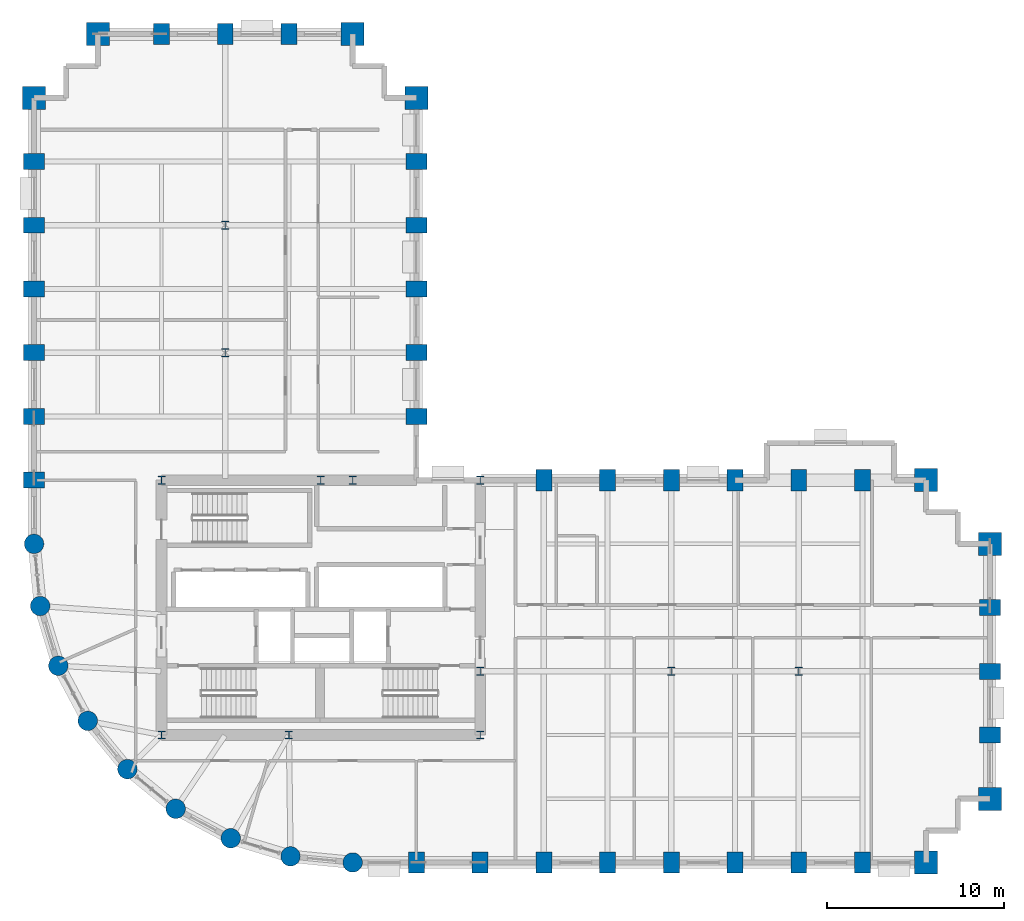
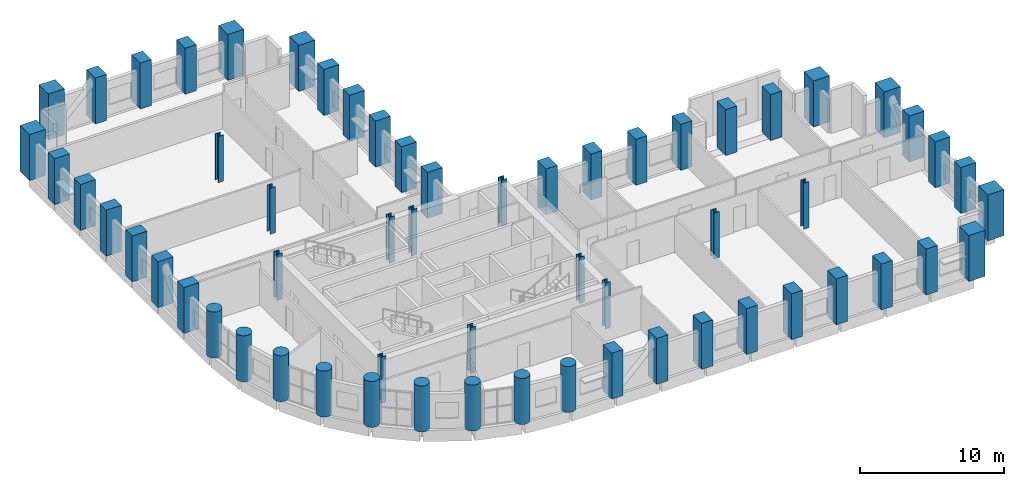
# One storey, part 1 of 13: 60 columns.
"""IFC4 building model written with IfcOpenShell, lengths in metres."""

from ifc_helpers import new_model, si_unit, direction, frame, origin, origin_2d, place, context, subcontext, project, spatial, rectangle, circle, i_section, extrude, material, material_profile, profile_set, type_object, element, save


model = new_model("IFC4")

# Units and contexts
model_context = context("Model", 3, precision=1e-05, world=origin(), true_north=direction((0.0, 1.0)))
body_context = subcontext(model_context, "Body", "Model", "MODEL_VIEW")
ifc_project = project(units=[si_unit("LENGTHUNIT", "METRE"), si_unit("AREAUNIT", "SQUARE_METRE"), si_unit("VOLUMEUNIT", "CUBIC_METRE"), si_unit("PLANEANGLEUNIT", "RADIAN"), si_unit("MASSUNIT", "GRAM", prefix="KILO")], contexts=[model_context])

# Site, building, storey
site_placement = place(None, origin())
site = spatial("IfcSite", under=ifc_project, at=site_placement, CompositionType="ELEMENT")
building_placement = place(site_placement, origin())
building = spatial("IfcBuilding", under=site, at=building_placement, Name="Solnavia Interchange Tower", CompositionType="ELEMENT")
storey_placement = place(building_placement, frame((0.0, 0.0, 39.60009765625)))
storey = spatial("IfcBuildingStorey", under=building, at=storey_placement, Name="L09", CompositionType="ELEMENT", Elevation=39.60009765625)

# Columns
ifc_material_1 = material(Name="Concrete C60/75", Category="concrete")
ifc_material_profile_1 = material_profile(ifc_material_1, rectangle(XDim=0.89990234375, YDim=1.199951171875, at=origin_2d()), Name="RC 1200x900")
ifc_profile_set_1 = profile_set([ifc_material_profile_1], Name="Concrete C60/75")
column_type_1 = type_object("IfcColumnType", Name="Col-RC-1200x900", PredefinedType="COLUMN", material=ifc_profile_set_1)
for number, where, z_axis, x_axis, name in (
    (1, (7.199951171875, 25.199951171875, 0.0), (0.0, 0.0, 1.0), (0.0, 1.0, 0.0), "COL-L09-02 Tower perim y column"),
    (2, (7.199951171875, 28.800048828125, 0.0), (0.0, 0.0, 1.0), (0.0, 1.0, 0.0), "COL-L09-03 Tower perim y column"),
    (3, (7.199951171875, 32.39990234375, 0.0), (0.0, 0.0, 1.0), (0.0, 1.0, 0.0), "COL-L09-04 Tower perim y column"),
    (4, (7.199951171875, 36.0, 0.0), (0.0, 0.0, 1.0), (0.0, 1.0, 0.0), "COL-L09-05 Tower perim y column"),
    (5, (7.199951171875, 39.60009765625, 0.0), (0.0, 0.0, 1.0), (0.0, 1.0, 0.0), "COL-L09-06 Tower perim y column"),
    (6, (7.199951171875, 43.199951171875, 0.0), (0.0, 0.0, 1.0), (0.0, 1.0, 0.0), "COL-L09-07 Tower perim y column"),
    (7, (14.39990234375, 50.39990234375, 0.0), (0.0, 0.0, 1.0), (1.0, 0.0, 0.0), "COL-L09-16 Tower perim x column"),
    (8, (18.0, 50.39990234375, 0.0), (0.0, 0.0, 1.0), (1.0, 0.0, 0.0), "COL-L09-20 Tower perim x column"),
    (9, (21.60009765625, 50.39990234375, 0.0), (0.0, 0.0, 1.0), (1.0, 0.0, 0.0), "COL-L09-23 Tower perim x column"),
    (10, (28.800048828125, 3.60009765625, 0.0), (0.0, 0.0, 1.0), (1.0, 0.0, 0.0), "COL-L09-29 Tower perim x column"),
    (11, (28.800048828125, 28.800048828125, 0.0), (0.0, 0.0, 1.0), (0.0, 1.0, 0.0), "COL-L09-30 Tower perim y column"),
    (12, (28.800048828125, 32.39990234375, 0.0), (0.0, 0.0, 1.0), (0.0, 1.0, 0.0), "COL-L09-31 Tower perim y column"),
    (13, (28.800048828125, 36.0, 0.0), (0.0, 0.0, 1.0), (0.0, 1.0, 0.0), "COL-L09-32 Tower perim y column"),
    (14, (28.800048828125, 39.60009765625, 0.0), (0.0, 0.0, 1.0), (0.0, 1.0, 0.0), "COL-L09-33 Tower perim y column"),
    (15, (28.800048828125, 43.199951171875, 0.0), (0.0, 0.0, 1.0), (0.0, 1.0, 0.0), "COL-L09-34 Tower perim y column"),
    (16, (32.39990234375, 3.60009765625, 0.0), (0.0, 0.0, 1.0), (1.0, 0.0, 0.0), "COL-L09-36 Tower perim x column"),
    (17, (36.0, 3.60009765625, 0.0), (0.0, 0.0, 1.0), (1.0, 0.0, 0.0), "COL-L09-40 Tower perim x column"),
    (18, (36.0, 25.199951171875, 0.0), (0.0, 0.0, 1.0), (1.0, 0.0, 0.0), "COL-L09-41 Tower perim x column"),
    (19, (39.60009765625, 3.60009765625, 0.0), (0.0, 0.0, 1.0), (1.0, 0.0, 0.0), "COL-L09-42 Tower perim x column"),
    (20, (39.60009765625, 25.199951171875, 0.0), (0.0, 0.0, 1.0), (1.0, 0.0, 0.0), "COL-L09-43 Tower perim x column"),
    (21, (43.199951171875, 3.60009765625, 0.0), (0.0, 0.0, 1.0), (1.0, 0.0, 0.0), "COL-L09-44 Tower perim x column"),
    (22, (43.199951171875, 25.199951171875, 0.0), (0.0, 0.0, 1.0), (1.0, 0.0, 0.0), "COL-L09-46 Tower perim x column"),
    (23, (46.800048828125, 3.60009765625, 0.0), (0.0, 0.0, 1.0), (1.0, 0.0, 0.0), "COL-L09-47 Tower perim x column"),
    (24, (46.800048828125, 25.199951171875, 0.0), (0.0, 0.0, 1.0), (1.0, 0.0, 0.0), "COL-L09-48 Tower perim x column"),
    (25, (50.39990234375, 3.60009765625, 0.0), (0.0, 0.0, 1.0), (1.0, 0.0, 0.0), "COL-L09-49 Tower perim x column"),
    (26, (50.39990234375, 25.199951171875, 0.0), (0.0, 0.0, 1.0), (1.0, 0.0, 0.0), "COL-L09-51 Tower perim x column"),
    (27, (54.0, 3.60009765625, 0.0), (0.0, 0.0, 1.0), (1.0, 0.0, 0.0), "COL-L09-52 Tower perim x column"),
    (28, (54.0, 25.199951171875, 0.0), (0.0, 0.0, 1.0), (1.0, 0.0, 0.0), "COL-L09-53 Tower perim x column"),
    (29, (61.199951171875, 10.800048828125, 0.0), (0.0, 0.0, 1.0), (0.0, 1.0, 0.0), "COL-L09-57 Tower perim y column"),
    (30, (61.199951171875, 14.39990234375, 0.0), (0.0, 0.0, 1.0), (0.0, 1.0, 0.0), "COL-L09-58 Tower perim y column"),
    (31, (61.199951171875, 18.0, 0.0), (0.0, 0.0, 1.0), (0.0, 1.0, 0.0), "COL-L09-59 Tower perim y column"),
):
    element("IfcColumn", number, at=place(storey_placement, frame(where, z_axis=z_axis, x_axis=x_axis)), inside=storey, type_object=column_type_1, Name=name, PredefinedType="COLUMN", context=body_context, shape_type="SweptSolid", body=[
        extrude(rectangle(XDim=0.89990234375, YDim=1.199951171875, at=origin_2d()), origin(), (0.0, 0.0, 1.0), 3.89990234375),
    ])
ifc_material_profile_2 = material_profile(ifc_material_1, rectangle(XDim=1.300048828125, YDim=1.300048828125, at=origin_2d()), Name="RC 1300x1300")
ifc_profile_set_2 = profile_set([ifc_material_profile_2], Name="Concrete C60/75")
column_type_2 = type_object("IfcColumnType", Name="Col-RC-1300x1300", PredefinedType="COLUMN", material=ifc_profile_set_2)
for number, where, z_axis, x_axis, name in (
    (32, (7.199951171875, 46.800048828125, 0.0), (0.0, 0.0, 1.0), (0.0, 1.0, 0.0), "COL-L09-08 Tower corner column"),
    (33, (10.800048828125, 50.39990234375, 0.0), (0.0, 0.0, 1.0), (1.0, 0.0, 0.0), "COL-L09-12 Tower corner column"),
    (34, (25.199951171875, 50.39990234375, 0.0), (0.0, 0.0, 1.0), (1.0, 0.0, 0.0), "COL-L09-28 Tower corner column"),
    (35, (28.800048828125, 46.800048828125, 0.0), (0.0, 0.0, 1.0), (0.0, 1.0, 0.0), "COL-L09-35 Tower corner column"),
    (36, (57.60009765625, 3.60009765625, 0.0), (0.0, 0.0, 1.0), (1.0, 0.0, 0.0), "COL-L09-54 Tower corner column"),
    (37, (57.60009765625, 25.199951171875, 0.0), (0.0, 0.0, 1.0), (1.0, 0.0, 0.0), "COL-L09-55 Tower corner column"),
    (38, (61.199951171875, 7.199951171875, 0.0), (0.0, 0.0, 1.0), (1.0, 0.0, 0.0), "COL-L09-56 Tower corner column"),
    (39, (61.199951171875, 21.60009765625, 0.0), (0.0, 0.0, 1.0), (0.0, 1.0, 0.0), "COL-L09-60 Tower corner column"),
):
    element("IfcColumn", number, at=place(storey_placement, frame(where, z_axis=z_axis, x_axis=x_axis)), inside=storey, type_object=column_type_2, Name=name, PredefinedType="COLUMN", context=body_context, shape_type="SweptSolid", body=[
        extrude(rectangle(XDim=1.300048828125, YDim=1.300048828125, at=origin_2d()), origin(), (0.0, 0.0, 1.0), 3.89990234375),
    ])
ifc_material_profile_3 = material_profile(ifc_material_1, circle(Radius=0.550048828125, at=origin_2d()), Name="RC D1100")
ifc_profile_set_3 = profile_set([ifc_material_profile_3], Name="Concrete C60/75")
column_type_3 = type_object("IfcColumnType", Name="Col-RC-D1100", PredefinedType="COLUMN", material=ifc_profile_set_3)
for number, where, z_axis, x_axis, name in (
    (40, (7.199951171875, 21.60009765625, 0.0), (0.0, 0.0, 1.0), (1.0, 0.0, 0.0), "COL-L09-01 Tower drum column"),
    (41, (7.5458984375, 18.087890625, 0.0), (0.0, 0.0, 1.0), (1.0, 0.0, 0.0), "COL-L09-09 Tower drum column"),
    (42, (8.570068359375, 14.7119140625, 0.0), (0.0, 0.0, 1.0), (1.0, 0.0, 0.0), "COL-L09-10 Tower drum column"),
    (43, (10.23388671875, 11.60009765625, 0.0), (0.0, 0.0, 1.0), (1.0, 0.0, 0.0), "COL-L09-11 Tower drum column"),
    (44, (12.471923828125, 8.8720703125, 0.0), (0.0, 0.0, 1.0), (1.0, 0.0, 0.0), "COL-L09-13 Tower drum column"),
    (45, (15.199951171875, 6.634033203125, 0.0), (0.0, 0.0, 1.0), (1.0, 0.0, 0.0), "COL-L09-17 Tower drum column"),
    (46, (18.31201171875, 4.969970703125, 0.0), (0.0, 0.0, 1.0), (1.0, 0.0, 0.0), "COL-L09-21 Tower drum column"),
    (47, (21.68798828125, 3.946044921875, 0.0), (0.0, 0.0, 1.0), (1.0, 0.0, 0.0), "COL-L09-24 Tower drum column"),
    (48, (25.199951171875, 3.60009765625, 0.0), (0.0, 0.0, 1.0), (1.0, 0.0, 0.0), "COL-L09-26 Tower drum column"),
):
    element("IfcColumn", number, at=place(storey_placement, frame(where, z_axis=z_axis, x_axis=x_axis)), inside=storey, type_object=column_type_3, Name=name, PredefinedType="COLUMN", context=body_context, shape_type="SweptSolid", body=[
        extrude(circle(Radius=0.550048828125, at=origin_2d()), origin(), (0.0, 0.0, 1.0), 3.89990234375),
    ])
ifc_material_2 = material(Name="Steel S355", Category="steel")
ifc_material_profile_4 = material_profile(ifc_material_2, i_section(OverallWidth=0.424072265625, OverallDepth=0.467041015625, WebThickness=0.032958984375, FlangeThickness=0.053466796875, FilletRadius=0.014892578125, at=origin_2d()), Name="HD 400x509")
ifc_profile_set_4 = profile_set([ifc_material_profile_4], Name="Steel S355")
column_type_4 = type_object("IfcColumnType", Name="Col-Steel-HD400x509", PredefinedType="COLUMN", material=ifc_profile_set_4)
for number, where, z_axis, x_axis, name in (
    (49, (14.39990234375, 10.800048828125, 0.0), (0.0, 0.0, 1.0), (1.0, 0.0, 0.0), "COL-L09-14 Tower interior column"),
    (50, (14.39990234375, 25.199951171875, 0.0), (0.0, 0.0, 1.0), (1.0, 0.0, 0.0), "COL-L09-15 Tower interior column"),
    (51, (18.0, 32.39990234375, 0.0), (0.0, 0.0, 1.0), (1.0, 0.0, 0.0), "COL-L09-18 Tower interior column"),
    (52, (18.0, 39.60009765625, 0.0), (0.0, 0.0, 1.0), (1.0, 0.0, 0.0), "COL-L09-19 Tower interior column"),
    (53, (21.60009765625, 10.800048828125, 0.0), (0.0, 0.0, 1.0), (1.0, 0.0, 0.0), "COL-L09-22 Tower interior column"),
    (54, (23.39990234375, 25.199951171875, 0.0), (0.0, 0.0, 1.0), (1.0, 0.0, 0.0), "COL-L09-25 Tower interior column"),
    (55, (25.199951171875, 25.199951171875, 0.0), (0.0, 0.0, 1.0), (1.0, 0.0, 0.0), "COL-L09-27 Tower interior column"),
    (56, (32.39990234375, 10.800048828125, 0.0), (0.0, 0.0, 1.0), (1.0, 0.0, 0.0), "COL-L09-37 Tower interior column"),
    (57, (32.39990234375, 14.39990234375, 0.0), (0.0, 0.0, 1.0), (1.0, 0.0, 0.0), "COL-L09-38 Tower interior column"),
    (58, (32.39990234375, 25.199951171875, 0.0), (0.0, 0.0, 1.0), (1.0, 0.0, 0.0), "COL-L09-39 Tower interior column"),
    (59, (43.199951171875, 14.39990234375, 0.0), (0.0, 0.0, 1.0), (1.0, 0.0, 0.0), "COL-L09-45 Tower interior column"),
    (60, (50.39990234375, 14.39990234375, 0.0), (0.0, 0.0, 1.0), (1.0, 0.0, 0.0), "COL-L09-50 Tower interior column"),
):
    element("IfcColumn", number, at=place(storey_placement, frame(where, z_axis=z_axis, x_axis=x_axis)), inside=storey, type_object=column_type_4, Name=name, PredefinedType="COLUMN", context=body_context, shape_type="SweptSolid", body=[
        extrude(i_section(OverallWidth=0.424072265625, OverallDepth=0.467041015625, WebThickness=0.032958984375, FlangeThickness=0.053466796875, FilletRadius=0.014892578125, at=origin_2d()), origin(), (0.0, 0.0, 1.0), 3.89990234375),
    ])

save(model, "model.ifc")
